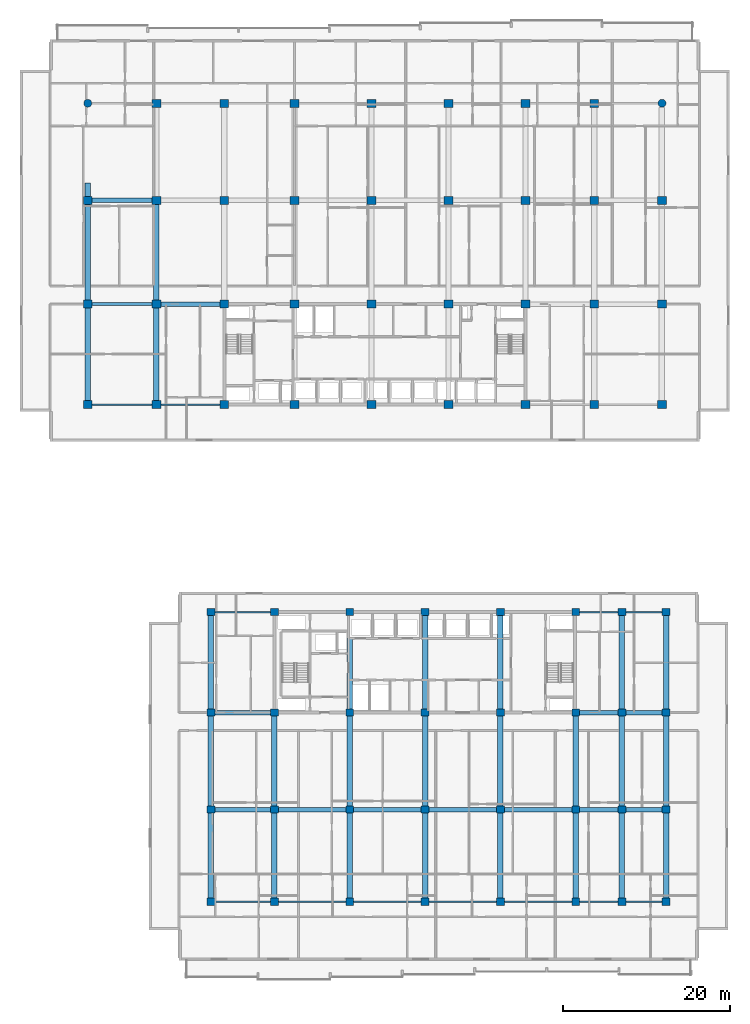
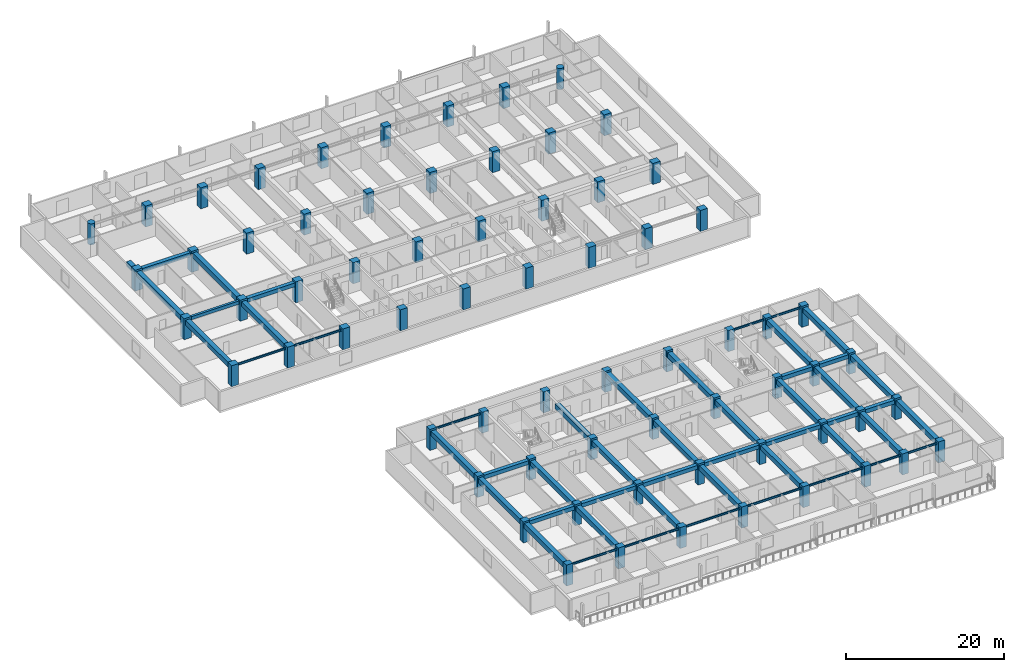
# One storey, part 1 of 23: 68 columns, 52 beams.
"""IFC4 building model written with IfcOpenShell, lengths in metres."""

import ifcopenshell
import ifcopenshell.guid

model = None  # the IFC model being written
_history = None  # IfcOwnerHistory: only IFC2X3 demands one
_inside = {}  # id of a spatial element -> (the spatial element, [elements in it])
_under = {}  # id of a project, library or spatial element -> (it, [spatial elements below it])
_declared = {}  # id of a project -> (the project, [libraries it declares])
_typed = {}  # id of a type object -> (the type object, [elements of that type])
_made_of = {}  # id of a material, layer set ... -> (it, [elements and type objects made of it])


def new_model(schema):
    """Start an empty IFC model of exactly this schema.

    Asked for "IFC4X3", IfcOpenShell would pick the latest addendum, in which some entities
    have other attributes; the version numbers below select the first issue.
    IFC2X3 requires an IfcOwnerHistory on every rooted entity: one is made here for all.
    """
    global model, _history
    if schema == "IFC4X3":
        model = ifcopenshell.file(schema_version=(4, 3, 0, 0))
    else:
        model = ifcopenshell.file(schema=schema)
    _inside.clear()
    _under.clear()
    _declared.clear()
    _typed.clear()
    _made_of.clear()
    _history = None
    if model.schema == "IFC2X3":
        org = make("IfcOrganization", Name="unknown")
        user = make(
            "IfcPersonAndOrganization",
            ThePerson=make("IfcPerson", FamilyName="unknown"),
            TheOrganization=org,
        )
        app = make(
            "IfcApplication",
            ApplicationDeveloper=org,
            Version="unknown",
            ApplicationFullName="unknown",
            ApplicationIdentifier="unknown",
        )
        _history = make(
            "IfcOwnerHistory",
            OwningUser=user,
            OwningApplication=app,
            ChangeAction="ADDED",
            CreationDate=0,
        )
    return model


def make(cls, **values):
    """One entity of the class cls with the attributes given. An attribute that is None is left unset."""
    return model.create_entity(
        cls, **{name: value for name, value in values.items() if value is not None}
    )


def rooted(cls, **values):
    """An entity with a GlobalId (a new one), such as an element, a storey or a relation."""
    return make(cls, GlobalId=ifcopenshell.guid.new(), OwnerHistory=_history, **values)


def si_unit(unit_type, name, prefix=None):
    """IfcSIUnit, for example si_unit("LENGTHUNIT", "METRE", prefix="MILLI")."""
    return make("IfcSIUnit", UnitType=unit_type, Prefix=prefix, Name=name)


def assignment(units):
    """IfcUnitAssignment: the units of a project."""
    return None if units is None else make("IfcUnitAssignment", Units=units)


def point(xyz):
    """IfcCartesianPoint."""
    return None if xyz is None else make("IfcCartesianPoint", Coordinates=xyz)


def direction(xyz):
    """IfcDirection."""
    return None if xyz is None else make("IfcDirection", DirectionRatios=xyz)


def frame(location, z_axis=None, x_axis=None):
    """IfcAxis2Placement3D, a coordinate frame: its origin and axes. An axis left out is left unset."""
    return make(
        "IfcAxis2Placement3D",
        Location=point(location),
        Axis=direction(z_axis),
        RefDirection=direction(x_axis),
    )


def frame_2d(location, x_axis=None):
    """IfcAxis2Placement2D, a coordinate frame in the plane: its origin and x axis."""
    return make(
        "IfcAxis2Placement2D", Location=point(location), RefDirection=direction(x_axis)
    )


def origin():
    """The frame at (0, 0, 0) with its axes left unset."""
    return frame((0.0, 0.0, 0.0))


def origin_2d():
    """The frame at (0, 0) in the plane with its x axis left unset."""
    return frame_2d((0.0, 0.0))


def place(relative_to, where):
    """IfcLocalPlacement: puts the frame where relative to a parent placement (None: the world)."""
    return make(
        "IfcLocalPlacement", PlacementRelTo=relative_to, RelativePlacement=where
    )


def context(
    kind, dimensions, precision=None, world=None, true_north=None, identifier=None
):
    """IfcGeometricRepresentationContext, for example the 3D "Model" context."""
    return make(
        "IfcGeometricRepresentationContext",
        ContextIdentifier=identifier,
        ContextType=kind,
        CoordinateSpaceDimension=dimensions,
        Precision=precision,
        WorldCoordinateSystem=world,
        TrueNorth=true_north,
    )


def subcontext(parent, identifier, kind, view, scale=None):
    """IfcGeometricRepresentationSubContext, for example "Body" below "Model"."""
    return make(
        "IfcGeometricRepresentationSubContext",
        ContextIdentifier=identifier,
        ContextType=kind,
        ParentContext=parent,
        TargetScale=scale,
        TargetView=view,
    )


def project(units=None, contexts=None):
    """IfcProject with its units and contexts."""
    return rooted(
        "IfcProject",
        Name="project",
        RepresentationContexts=contexts,
        UnitsInContext=assignment(units),
    )


def spatial(cls, under=None, at=None, **own):
    """A site, building, storey or space (cls), placed at a placement, below another one or the project."""
    s = rooted(cls, ObjectPlacement=at, **own)
    if under is not None:
        _under.setdefault(under.id(), (under, []))[1].append(s)
    return s


def profile(cls, at=None, kind="AREA", **sizes):
    """A parametric profile (cls). Its sizes go by their IFC names, for example OverallWidth=200.0."""
    return make(cls, ProfileType=kind, Position=at, **sizes)


def rectangle(**sizes):
    """IfcRectangleProfileDef."""
    return profile("IfcRectangleProfileDef", **sizes)


def circle(**sizes):
    """IfcCircleProfileDef."""
    return profile("IfcCircleProfileDef", **sizes)


def i_section(**sizes):
    """IfcIShapeProfileDef."""
    return profile("IfcIShapeProfileDef", **sizes)


def extrude(swept, where, along, depth):
    """IfcExtrudedAreaSolid: the profile swept, set in the frame where, extruded along a direction by depth."""
    return make(
        "IfcExtrudedAreaSolid",
        SweptArea=swept,
        Position=where,
        ExtrudedDirection=direction(along),
        Depth=depth,
    )


def shape(context_of_items, identifier, shape_type, items):
    """IfcShapeRepresentation: the items that make up one representation, for example the "Body"."""
    return make(
        "IfcShapeRepresentation",
        ContextOfItems=context_of_items,
        RepresentationIdentifier=identifier,
        RepresentationType=shape_type,
        Items=items,
    )


def material(Name=None, Category=None):
    """IfcMaterial."""
    return make("IfcMaterial", Name=Name, Category=Category)


def material_profile(
    of_material, cross_section, Name=None, Category=None, Priority=None
):
    """IfcMaterialProfile: a cross section and its material."""
    return make(
        "IfcMaterialProfile",
        Name=Name,
        Material=of_material,
        Profile=cross_section,
        Priority=Priority,
        Category=Category,
    )


def profile_set(profiles, Name=None, composite=None):
    """IfcMaterialProfileSet."""
    return make(
        "IfcMaterialProfileSet",
        Name=Name,
        MaterialProfiles=profiles,
        CompositeProfile=composite,
    )


def made_of(thing, what):
    """Note that an element or type object is made of a material, layer set ...; save() writes the relation."""
    if what is not None:
        _made_of.setdefault(what.id(), (what, []))[1].append(thing)
    return thing


def type_object(cls, material=None, **own):
    """A type object (cls), such as IfcWallType, which elements share."""
    return made_of(rooted(cls, **own), material)


def element(
    cls,
    number,
    at=None,
    inside=None,
    cuts=None,
    type_object=None,
    material=None,
    context=None,
    identifier="Body",
    shape_type=None,
    held_by="IfcProductDefinitionShape",
    body=None,
    shapes=None,
    **own,
):
    """One element of the class cls, such as IfcWall. Its Tag is "e" and its number.

    at: its placement. inside: the storey or other place that contains it. cuts: it is an
    opening in that element (IfcRelVoidsElement). A single representation is given by context,
    identifier, shape_type and body (its items); several are given by shapes. held_by: the class
    of the entity that holds the representations. save() writes the other relations.
    """
    e = rooted(cls, Tag="e%d" % number, ObjectPlacement=at, **own)
    if body is not None:
        shapes = [shape(context, identifier, shape_type, body)]
    if shapes is not None:
        e.Representation = make(held_by, Representations=shapes)
    if inside is not None:
        _inside.setdefault(inside.id(), (inside, []))[1].append(e)
    if cuts is not None:
        rooted(
            "IfcRelVoidsElement", RelatingBuildingElement=cuts, RelatedOpeningElement=e
        )
    if type_object is not None:
        _typed.setdefault(type_object.id(), (type_object, []))[1].append(e)
    return made_of(e, material)


def aggregate(whole, parts):
    """IfcRelAggregates: a whole, such as a stair, and the parts it consists of."""
    return rooted("IfcRelAggregates", RelatingObject=whole, RelatedObjects=parts)


def save(model, path):
    """Write the relations noted so far, then the file.

    IfcRelAggregates (storeys below a building ...), IfcRelContainedInSpatialStructure (elements
    in a storey), IfcRelDefinesByType, IfcRelAssociatesMaterial and IfcRelDeclares: one each for
    every whole, place, type object, material and project.
    """
    for whole, parts in _under.values():
        aggregate(whole, parts)
    for where, things in _inside.values():
        rooted(
            "IfcRelContainedInSpatialStructure",
            RelatedElements=things,
            RelatingStructure=where,
        )
    for kind, things in _typed.values():
        rooted("IfcRelDefinesByType", RelatedObjects=things, RelatingType=kind)
    for what, things in _made_of.values():
        rooted("IfcRelAssociatesMaterial", RelatedObjects=things, RelatingMaterial=what)
    for by, libraries in _declared.values():
        rooted("IfcRelDeclares", RelatingContext=by, RelatedDefinitions=libraries)
    model.write(path)


model = new_model("IFC4")

# Units and contexts
model_context = context("Model", 3, precision=1e-05, world=origin(), true_north=direction((0.0, 1.0)))
body_context = subcontext(model_context, "Body", "Model", "MODEL_VIEW")
ifc_project = project(units=[si_unit("LENGTHUNIT", "METRE"), si_unit("AREAUNIT", "SQUARE_METRE"), si_unit("VOLUMEUNIT", "CUBIC_METRE"), si_unit("PLANEANGLEUNIT", "RADIAN"), si_unit("MASSUNIT", "GRAM", prefix="KILO")], contexts=[model_context])

# Site, building, storey
site_placement = place(None, origin())
site = spatial("IfcSite", under=ifc_project, at=site_placement, CompositionType="ELEMENT")
building_placement = place(site_placement, origin())
building = spatial("IfcBuilding", under=site, at=building_placement, Name="Korimba Cascade Residences", CompositionType="ELEMENT")
storey_placement = place(building_placement, frame((0.0, 0.0, 37.0)))
storey = spatial("IfcBuildingStorey", under=building, at=storey_placement, Name="L09", CompositionType="ELEMENT", Elevation=37.0)

# Columns
ifc_material_1 = material(Name="Concrete C80/95", Category="concrete")
ifc_material_profile_1 = material_profile(ifc_material_1, rectangle(XDim=1.050048828125, YDim=0.949951171875, at=origin_2d()), Name="Concrete C80/95")
ifc_profile_set_1 = profile_set([ifc_material_profile_1], Name="Concrete C80/95")
column_type_1 = type_object("IfcColumnType", Name="COL-RC-1050", PredefinedType="COLUMN", material=ifc_profile_set_1)
for number, where, z_axis, x_axis, name in (
    (1, (59.800048828125, 55.199951171875, 0.0), (0.0, 0.0, 1.0), (1.0, 0.0, 0.0), "L09 Tower 1 Column 1.1"),
    (2, (59.800048828125, 67.199951171875, 0.0), (0.0, 0.0, 1.0), (1.0, 0.0, 0.0), "L09 Tower 1 Column 1.2"),
    (3, (59.800048828125, 79.60009765625, 0.0), (0.0, 0.0, 1.0), (1.0, 0.0, 0.0), "L09 Tower 1 Column 1.3"),
    (4, (68.0, 55.199951171875, 0.0), (0.0, 0.0, 1.0), (1.0, 0.0, 0.0), "L09 Tower 1 Column 2.1"),
    (5, (68.0, 67.199951171875, 0.0), (0.0, 0.0, 1.0), (1.0, 0.0, 0.0), "L09 Tower 1 Column 2.2"),
    (6, (68.0, 79.60009765625, 0.0), (0.0, 0.0, 1.0), (1.0, 0.0, 0.0), "L09 Tower 1 Column 2.3"),
    (7, (68.0, 91.199951171875, 0.0), (0.0, 0.0, 1.0), (1.0, 0.0, 0.0), "L09 Tower 1 Column 2.4"),
    (8, (76.10009765625, 55.199951171875, 0.0), (0.0, 0.0, 1.0), (1.0, 0.0, 0.0), "L09 Tower 1 Column 3.1"),
    (9, (76.10009765625, 67.199951171875, 0.0), (0.0, 0.0, 1.0), (1.0, 0.0, 0.0), "L09 Tower 1 Column 3.2"),
    (10, (76.10009765625, 79.60009765625, 0.0), (0.0, 0.0, 1.0), (1.0, 0.0, 0.0), "L09 Tower 1 Column 3.3"),
    (11, (76.10009765625, 91.199951171875, 0.0), (0.0, 0.0, 1.0), (1.0, 0.0, 0.0), "L09 Tower 1 Column 3.4"),
    (12, (84.5, 55.199951171875, 0.0), (0.0, 0.0, 1.0), (1.0, 0.0, 0.0), "L09 Tower 1 Column 4.1"),
    (13, (84.5, 67.199951171875, 0.0), (0.0, 0.0, 1.0), (1.0, 0.0, 0.0), "L09 Tower 1 Column 4.2"),
    (14, (84.5, 79.60009765625, 0.0), (0.0, 0.0, 1.0), (1.0, 0.0, 0.0), "L09 Tower 1 Column 4.3"),
    (15, (84.5, 91.199951171875, 0.0), (0.0, 0.0, 1.0), (1.0, 0.0, 0.0), "L09 Tower 1 Column 4.4"),
    (16, (93.699951171875, 55.199951171875, 0.0), (0.0, 0.0, 1.0), (1.0, 0.0, 0.0), "L09 Tower 1 Column 5.1"),
    (17, (93.699951171875, 67.199951171875, 0.0), (0.0, 0.0, 1.0), (1.0, 0.0, 0.0), "L09 Tower 1 Column 5.2"),
    (18, (93.699951171875, 79.60009765625, 0.0), (0.0, 0.0, 1.0), (1.0, 0.0, 0.0), "L09 Tower 1 Column 5.3"),
    (19, (93.699951171875, 91.199951171875, 0.0), (0.0, 0.0, 1.0), (1.0, 0.0, 0.0), "L09 Tower 1 Column 5.4"),
    (20, (102.89990234375, 55.199951171875, 0.0), (0.0, 0.0, 1.0), (1.0, 0.0, 0.0), "L09 Tower 1 Column 6.1"),
    (21, (102.89990234375, 67.199951171875, 0.0), (0.0, 0.0, 1.0), (1.0, 0.0, 0.0), "L09 Tower 1 Column 6.2"),
    (22, (102.89990234375, 79.60009765625, 0.0), (0.0, 0.0, 1.0), (1.0, 0.0, 0.0), "L09 Tower 1 Column 6.3"),
    (23, (102.89990234375, 91.199951171875, 0.0), (0.0, 0.0, 1.0), (1.0, 0.0, 0.0), "L09 Tower 1 Column 6.4"),
    (24, (112.10009765625, 55.199951171875, 0.0), (0.0, 0.0, 1.0), (1.0, 0.0, 0.0), "L09 Tower 1 Column 7.1"),
    (25, (112.10009765625, 67.199951171875, 0.0), (0.0, 0.0, 1.0), (1.0, 0.0, 0.0), "L09 Tower 1 Column 7.2"),
    (26, (112.10009765625, 79.60009765625, 0.0), (0.0, 0.0, 1.0), (1.0, 0.0, 0.0), "L09 Tower 1 Column 7.3"),
    (27, (112.10009765625, 91.199951171875, 0.0), (0.0, 0.0, 1.0), (1.0, 0.0, 0.0), "L09 Tower 1 Column 7.4"),
    (28, (120.300048828125, 55.199951171875, 0.0), (0.0, 0.0, 1.0), (1.0, 0.0, 0.0), "L09 Tower 1 Column 8.1"),
    (29, (120.300048828125, 67.199951171875, 0.0), (0.0, 0.0, 1.0), (1.0, 0.0, 0.0), "L09 Tower 1 Column 8.2"),
    (30, (120.300048828125, 79.60009765625, 0.0), (0.0, 0.0, 1.0), (1.0, 0.0, 0.0), "L09 Tower 1 Column 8.3"),
    (31, (120.300048828125, 91.199951171875, 0.0), (0.0, 0.0, 1.0), (1.0, 0.0, 0.0), "L09 Tower 1 Column 8.4"),
    (32, (128.39990234375, 55.199951171875, 0.0), (0.0, 0.0, 1.0), (1.0, 0.0, 0.0), "L09 Tower 1 Column 9.1"),
    (33, (128.39990234375, 67.199951171875, 0.0), (0.0, 0.0, 1.0), (1.0, 0.0, 0.0), "L09 Tower 1 Column 9.2"),
    (34, (128.39990234375, 79.60009765625, 0.0), (0.0, 0.0, 1.0), (1.0, 0.0, 0.0), "L09 Tower 1 Column 9.3"),
):
    element("IfcColumn", number, at=place(storey_placement, frame(where, z_axis=z_axis, x_axis=x_axis)), inside=storey, type_object=column_type_1, Name=name, PredefinedType="COLUMN", context=body_context, shape_type="SweptSolid", body=[
        extrude(rectangle(XDim=1.050048828125, YDim=0.949951171875, at=origin_2d()), origin(), (0.0, 0.0, 1.0), 3.25),
    ])
ifc_material_2 = material(Name="Concrete C65/80", Category="concrete")
ifc_material_profile_2 = material_profile(ifc_material_2, rectangle(XDim=0.949951171875, YDim=0.85009765625, at=origin_2d()), Name="Concrete C65/80")
ifc_profile_set_2 = profile_set([ifc_material_profile_2], Name="Concrete C65/80")
column_type_2 = type_object("IfcColumnType", Name="COL-RC-950", PredefinedType="COLUMN", material=ifc_profile_set_2)
for number, where, z_axis, x_axis, name in (
    (35, (74.5, -4.199951171875, 0.0), (0.0, 0.0, 1.0), (1.0, 0.0, 0.0), "L09 Tower 2 Column 1.1"),
    (36, (74.5, 6.800048828125, 0.0), (0.0, 0.0, 1.0), (1.0, 0.0, 0.0), "L09 Tower 2 Column 1.2"),
    (37, (74.5, 18.39990234375, 0.0), (0.0, 0.0, 1.0), (1.0, 0.0, 0.0), "L09 Tower 2 Column 1.3"),
    (38, (74.5, 30.39990234375, 0.0), (0.0, 0.0, 1.0), (1.0, 0.0, 0.0), "L09 Tower 2 Column 1.4"),
    (39, (82.10009765625, -4.199951171875, 0.0), (0.0, 0.0, 1.0), (1.0, 0.0, 0.0), "L09 Tower 2 Column 2.1"),
    (40, (82.10009765625, 6.800048828125, 0.0), (0.0, 0.0, 1.0), (1.0, 0.0, 0.0), "L09 Tower 2 Column 2.2"),
    (41, (82.10009765625, 18.39990234375, 0.0), (0.0, 0.0, 1.0), (1.0, 0.0, 0.0), "L09 Tower 2 Column 2.3"),
    (42, (82.10009765625, 30.39990234375, 0.0), (0.0, 0.0, 1.0), (1.0, 0.0, 0.0), "L09 Tower 2 Column 2.4"),
    (43, (91.10009765625, -4.199951171875, 0.0), (0.0, 0.0, 1.0), (1.0, 0.0, 0.0), "L09 Tower 2 Column 3.1"),
    (44, (91.10009765625, 6.800048828125, 0.0), (0.0, 0.0, 1.0), (1.0, 0.0, 0.0), "L09 Tower 2 Column 3.2"),
    (45, (91.10009765625, 18.39990234375, 0.0), (0.0, 0.0, 1.0), (1.0, 0.0, 0.0), "L09 Tower 2 Column 3.3"),
    (46, (91.10009765625, 30.39990234375, 0.0), (0.0, 0.0, 1.0), (1.0, 0.0, 0.0), "L09 Tower 2 Column 3.4"),
    (47, (100.10009765625, -4.199951171875, 0.0), (0.0, 0.0, 1.0), (1.0, 0.0, 0.0), "L09 Tower 2 Column 4.1"),
    (48, (100.10009765625, 6.800048828125, 0.0), (0.0, 0.0, 1.0), (1.0, 0.0, 0.0), "L09 Tower 2 Column 4.2"),
    (49, (100.10009765625, 18.39990234375, 0.0), (0.0, 0.0, 1.0), (1.0, 0.0, 0.0), "L09 Tower 2 Column 4.3"),
    (50, (100.10009765625, 30.39990234375, 0.0), (0.0, 0.0, 1.0), (1.0, 0.0, 0.0), "L09 Tower 2 Column 4.4"),
    (51, (109.10009765625, -4.199951171875, 0.0), (0.0, 0.0, 1.0), (1.0, 0.0, 0.0), "L09 Tower 2 Column 5.1"),
    (52, (109.10009765625, 6.800048828125, 0.0), (0.0, 0.0, 1.0), (1.0, 0.0, 0.0), "L09 Tower 2 Column 5.2"),
    (53, (109.10009765625, 18.39990234375, 0.0), (0.0, 0.0, 1.0), (1.0, 0.0, 0.0), "L09 Tower 2 Column 5.3"),
    (54, (109.10009765625, 30.39990234375, 0.0), (0.0, 0.0, 1.0), (1.0, 0.0, 0.0), "L09 Tower 2 Column 5.4"),
    (55, (118.10009765625, -4.199951171875, 0.0), (0.0, 0.0, 1.0), (1.0, 0.0, 0.0), "L09 Tower 2 Column 6.1"),
    (56, (118.10009765625, 6.800048828125, 0.0), (0.0, 0.0, 1.0), (1.0, 0.0, 0.0), "L09 Tower 2 Column 6.2"),
    (57, (118.10009765625, 18.39990234375, 0.0), (0.0, 0.0, 1.0), (1.0, 0.0, 0.0), "L09 Tower 2 Column 6.3"),
    (58, (118.10009765625, 30.39990234375, 0.0), (0.0, 0.0, 1.0), (1.0, 0.0, 0.0), "L09 Tower 2 Column 6.4"),
    (59, (123.60009765625, -4.199951171875, 0.0), (0.0, 0.0, 1.0), (1.0, 0.0, 0.0), "L09 Tower 2 Column 7.1"),
    (60, (123.60009765625, 6.800048828125, 0.0), (0.0, 0.0, 1.0), (1.0, 0.0, 0.0), "L09 Tower 2 Column 7.2"),
    (61, (123.60009765625, 18.39990234375, 0.0), (0.0, 0.0, 1.0), (1.0, 0.0, 0.0), "L09 Tower 2 Column 7.3"),
    (62, (123.60009765625, 30.39990234375, 0.0), (0.0, 0.0, 1.0), (1.0, 0.0, 0.0), "L09 Tower 2 Column 7.4"),
    (63, (128.89990234375, -4.199951171875, 0.0), (0.0, 0.0, 1.0), (1.0, 0.0, 0.0), "L09 Tower 2 Column 8.1"),
    (64, (128.89990234375, 6.800048828125, 0.0), (0.0, 0.0, 1.0), (1.0, 0.0, 0.0), "L09 Tower 2 Column 8.2"),
    (65, (128.89990234375, 18.39990234375, 0.0), (0.0, 0.0, 1.0), (1.0, 0.0, 0.0), "L09 Tower 2 Column 8.3"),
    (66, (128.89990234375, 30.39990234375, 0.0), (0.0, 0.0, 1.0), (1.0, 0.0, 0.0), "L09 Tower 2 Column 8.4"),
):
    element("IfcColumn", number, at=place(storey_placement, frame(where, z_axis=z_axis, x_axis=x_axis)), inside=storey, type_object=column_type_2, Name=name, PredefinedType="COLUMN", context=body_context, shape_type="SweptSolid", body=[
        extrude(rectangle(XDim=0.949951171875, YDim=0.85009765625, at=origin_2d()), origin(), (0.0, 0.0, 1.0), 3.25),
    ])
ifc_material_profile_3 = material_profile(ifc_material_1, circle(Radius=0.47509765625, at=origin_2d()), Name="Concrete C80/95")
ifc_profile_set_3 = profile_set([ifc_material_profile_3], Name="Concrete C80/95")
column_type_3 = type_object("IfcColumnType", Name="COL-RC-D950", PredefinedType="COLUMN", material=ifc_profile_set_3)
for number, where, z_axis, x_axis, name in (
    (67, (59.800048828125, 91.199951171875, 0.0), (0.0, 0.0, 1.0), (1.0, 0.0, 0.0), "L09 Tower 1 Column 1.4"),
    (68, (128.39990234375, 91.199951171875, 0.0), (0.0, 0.0, 1.0), (1.0, 0.0, 0.0), "L09 Tower 1 Column 9.4"),
):
    element("IfcColumn", number, at=place(storey_placement, frame(where, z_axis=z_axis, x_axis=x_axis)), inside=storey, type_object=column_type_3, Name=name, PredefinedType="COLUMN", context=body_context, shape_type="SweptSolid", body=[
        extrude(circle(Radius=0.47509765625, at=origin_2d()), origin(), (0.0, 0.0, 1.0), 3.25),
    ])

# Beams
ifc_material_3 = material(Name="Concrete C50/60", Category="concrete")
ifc_material_profile_4 = material_profile(ifc_material_3, rectangle(XDim=0.550048828125, YDim=0.60009765625, at=origin_2d()), Name="Concrete C50/60")
ifc_profile_set_4 = profile_set([ifc_material_profile_4], Name="Concrete C50/60")
beam_type_1 = type_object("IfcBeamType", Name="BM-RC-B600", PredefinedType="BEAM", material=ifc_profile_set_4)
beam_1_placement = place(storey_placement, frame((68.52490234375, 67.199951171875, 2.669921875), z_axis=(1.0, 0.0, 0.0), x_axis=(0.0, 1.0, 0.0)))
element("IfcBeam", 69, at=beam_1_placement, inside=storey, type_object=beam_type_1, Name="L09 T1 E-W Girder Y2 Bay 2", PredefinedType="BEAM", context=body_context, shape_type="SweptSolid", body=[
    extrude(rectangle(XDim=0.550048828125, YDim=0.60009765625, at=origin_2d()), origin(), (0.0, 0.0, 1.0), 7.050048828125),
])
beam_2_placement = place(storey_placement, frame((60.324951171875, 79.60009765625, 2.669921875), z_axis=(1.0, 0.0, 0.0), x_axis=(0.0, 1.0, 0.0)))
element("IfcBeam", 70, at=beam_2_placement, inside=storey, type_object=beam_type_1, Name="L09 T1 E-W Girder Y3 Bay 1", PredefinedType="BEAM", context=body_context, shape_type="SweptSolid", body=[
    extrude(rectangle(XDim=0.550048828125, YDim=0.60009765625, at=origin_2d()), origin(), (0.0, 0.0, 1.0), 7.150146484375),
])
beam_3_placement = place(storey_placement, frame((74.97509765625, 6.800048828125, 2.669921875), z_axis=(1.0, 0.0, 0.0), x_axis=(0.0, 1.0, 0.0)))
element("IfcBeam", 71, at=beam_3_placement, inside=storey, type_object=beam_type_1, Name="L09 T2 E-W Girder Y2 Bay 1", PredefinedType="BEAM", context=body_context, shape_type="SweptSolid", body=[
    extrude(rectangle(XDim=0.550048828125, YDim=0.60009765625, at=origin_2d()), origin(), (0.0, 0.0, 1.0), 6.64990234375),
])
for number, where, z_axis, x_axis, name in (
    (72, (82.574951171875, 6.800048828125, 2.669921875), (1.0, 0.0, 0.0), (0.0, 1.0, 0.0), "L09 T2 E-W Girder Y2 Bay 2"),
    (73, (91.574951171875, 6.800048828125, 2.669921875), (1.0, 0.0, 0.0), (0.0, 1.0, 0.0), "L09 T2 E-W Girder Y2 Bay 3"),
    (74, (100.574951171875, 6.800048828125, 2.669921875), (1.0, 0.0, 0.0), (0.0, 1.0, 0.0), "L09 T2 E-W Girder Y2 Bay 4"),
    (75, (109.574951171875, 6.800048828125, 2.669921875), (1.0, 0.0, 0.0), (0.0, 1.0, 0.0), "L09 T2 E-W Girder Y2 Bay 5"),
):
    element("IfcBeam", number, at=place(storey_placement, frame(where, z_axis=z_axis, x_axis=x_axis)), inside=storey, type_object=beam_type_1, Name=name, PredefinedType="BEAM", context=body_context, shape_type="SweptSolid", body=[
        extrude(rectangle(XDim=0.550048828125, YDim=0.60009765625, at=origin_2d()), origin(), (0.0, 0.0, 1.0), 8.050048828125),
    ])
beam_4_placement = place(storey_placement, frame((118.574951171875, 6.800048828125, 2.669921875), z_axis=(1.0, 0.0, 0.0), x_axis=(0.0, 1.0, 0.0)))
element("IfcBeam", 76, at=beam_4_placement, inside=storey, type_object=beam_type_1, Name="L09 T2 E-W Girder Y2 Bay 6", PredefinedType="BEAM", context=body_context, shape_type="SweptSolid", body=[
    extrude(rectangle(XDim=0.550048828125, YDim=0.60009765625, at=origin_2d()), origin(), (0.0, 0.0, 1.0), 4.550048828125),
])
beam_5_placement = place(storey_placement, frame((124.074951171875, 6.800048828125, 2.669921875), z_axis=(1.0, 0.0, 0.0), x_axis=(0.0, 1.0, 0.0)))
element("IfcBeam", 77, at=beam_5_placement, inside=storey, type_object=beam_type_1, Name="L09 T2 E-W Girder Y2 Bay 7", PredefinedType="BEAM", context=body_context, shape_type="SweptSolid", body=[
    extrude(rectangle(XDim=0.550048828125, YDim=0.60009765625, at=origin_2d()), origin(), (0.0, 0.0, 1.0), 4.35009765625),
])
beam_6_placement = place(storey_placement, frame((74.97509765625, 18.39990234375, 2.669921875), z_axis=(1.0, 0.0, 0.0), x_axis=(0.0, 1.0, 0.0)))
element("IfcBeam", 78, at=beam_6_placement, inside=storey, type_object=beam_type_1, Name="L09 T2 E-W Girder Y3 Bay 1", PredefinedType="BEAM", context=body_context, shape_type="SweptSolid", body=[
    extrude(rectangle(XDim=0.550048828125, YDim=0.60009765625, at=origin_2d()), origin(), (0.0, 0.0, 1.0), 6.64990234375),
])
beam_7_placement = place(storey_placement, frame((118.574951171875, 18.39990234375, 2.669921875), z_axis=(1.0, 0.0, 0.0), x_axis=(0.0, 1.0, 0.0)))
element("IfcBeam", 79, at=beam_7_placement, inside=storey, type_object=beam_type_1, Name="L09 T2 E-W Girder Y3 Bay 6", PredefinedType="BEAM", context=body_context, shape_type="SweptSolid", body=[
    extrude(rectangle(XDim=0.550048828125, YDim=0.60009765625, at=origin_2d()), origin(), (0.0, 0.0, 1.0), 4.550048828125),
])
beam_8_placement = place(storey_placement, frame((124.074951171875, 18.39990234375, 2.669921875), z_axis=(1.0, 0.0, 0.0), x_axis=(0.0, 1.0, 0.0)))
element("IfcBeam", 80, at=beam_8_placement, inside=storey, type_object=beam_type_1, Name="L09 T2 E-W Girder Y3 Bay 7", PredefinedType="BEAM", context=body_context, shape_type="SweptSolid", body=[
    extrude(rectangle(XDim=0.550048828125, YDim=0.60009765625, at=origin_2d()), origin(), (0.0, 0.0, 1.0), 4.35009765625),
])
ifc_material_profile_5 = material_profile(ifc_material_3, rectangle(XDim=0.64990234375, YDim=0.75, at=origin_2d()), Name="Concrete C50/60")
ifc_profile_set_5 = profile_set([ifc_material_profile_5], Name="Concrete C50/60")
beam_type_2 = type_object("IfcBeamType", Name="BM-RC-G750", PredefinedType="BEAM", material=ifc_profile_set_5)
beam_9_placement = place(storey_placement, frame((59.800048828125, 55.675048828125, 2.594970703125), z_axis=(0.0, 1.0, 0.0), x_axis=(-1.0, 0.0, 0.0)))
element("IfcBeam", 81, at=beam_9_placement, inside=storey, type_object=beam_type_2, Name="L09 T1 N-S Girder X1 Seg 1", PredefinedType="BEAM", context=body_context, shape_type="SweptSolid", body=[
    extrude(rectangle(XDim=0.64990234375, YDim=0.75, at=origin_2d()), origin(), (0.0, 0.0, 1.0), 11.050048828125),
])
beam_10_placement = place(storey_placement, frame((59.800048828125, 67.675048828125, 2.594970703125), z_axis=(0.0, 1.0, 0.0), x_axis=(-1.0, 0.0, 0.0)))
element("IfcBeam", 82, at=beam_10_placement, inside=storey, type_object=beam_type_2, Name="L09 T1 N-S Girder X1 Seg 2", PredefinedType="BEAM", context=body_context, shape_type="SweptSolid", body=[
    extrude(rectangle(XDim=0.64990234375, YDim=0.75, at=origin_2d()), origin(), (0.0, 0.0, 1.0), 11.449951171875),
])
beam_11_placement = place(storey_placement, frame((59.800048828125, 80.074951171875, 2.594970703125), z_axis=(0.0, 1.0, 0.0), x_axis=(-1.0, 0.0, 0.0)))
element("IfcBeam", 83, at=beam_11_placement, inside=storey, type_object=beam_type_2, Name="L09 T1 N-S Girder X1 Seg 3", PredefinedType="BEAM", context=body_context, shape_type="SweptSolid", body=[
    extrude(rectangle(XDim=0.64990234375, YDim=0.75, at=origin_2d()), origin(), (0.0, 0.0, 1.0), 1.625),
])
beam_12_placement = place(storey_placement, frame((68.0, 55.675048828125, 2.594970703125), z_axis=(0.0, 1.0, 0.0), x_axis=(-1.0, 0.0, 0.0)))
element("IfcBeam", 84, at=beam_12_placement, inside=storey, type_object=beam_type_2, Name="L09 T1 N-S Girder X2 Seg 1", PredefinedType="BEAM", context=body_context, shape_type="SweptSolid", body=[
    extrude(rectangle(XDim=0.64990234375, YDim=0.75, at=origin_2d()), origin(), (0.0, 0.0, 1.0), 11.050048828125),
])
beam_13_placement = place(storey_placement, frame((68.0, 67.675048828125, 2.594970703125), z_axis=(0.0, 1.0, 0.0), x_axis=(-1.0, 0.0, 0.0)))
element("IfcBeam", 85, at=beam_13_placement, inside=storey, type_object=beam_type_2, Name="L09 T1 N-S Girder X2 Seg 2", PredefinedType="BEAM", context=body_context, shape_type="SweptSolid", body=[
    extrude(rectangle(XDim=0.64990234375, YDim=0.75, at=origin_2d()), origin(), (0.0, 0.0, 1.0), 11.449951171875),
])
beam_14_placement = place(storey_placement, frame((74.5, -3.77490234375, 2.594970703125), z_axis=(0.0, 1.0, 0.0), x_axis=(-1.0, 0.0, 0.0)))
element("IfcBeam", 86, at=beam_14_placement, inside=storey, type_object=beam_type_2, Name="L09 T2 N-S Girder X1 Seg 1", PredefinedType="BEAM", context=body_context, shape_type="SweptSolid", body=[
    extrude(rectangle(XDim=0.64990234375, YDim=0.75, at=origin_2d()), origin(), (0.0, 0.0, 1.0), 10.14990234375),
])
beam_15_placement = place(storey_placement, frame((74.5, 7.22509765625, 2.594970703125), z_axis=(0.0, 1.0, 0.0), x_axis=(-1.0, 0.0, 0.0)))
element("IfcBeam", 87, at=beam_15_placement, inside=storey, type_object=beam_type_2, Name="L09 T2 N-S Girder X1 Seg 2", PredefinedType="BEAM", context=body_context, shape_type="SweptSolid", body=[
    extrude(rectangle(XDim=0.64990234375, YDim=0.75, at=origin_2d()), origin(), (0.0, 0.0, 1.0), 10.75),
])
beam_16_placement = place(storey_placement, frame((74.5, 18.824951171875, 2.594970703125), z_axis=(0.0, 1.0, 0.0), x_axis=(-1.0, 0.0, 0.0)))
element("IfcBeam", 88, at=beam_16_placement, inside=storey, type_object=beam_type_2, Name="L09 T2 N-S Girder X1 Seg 3", PredefinedType="BEAM", context=body_context, shape_type="SweptSolid", body=[
    extrude(rectangle(XDim=0.64990234375, YDim=0.75, at=origin_2d()), origin(), (0.0, 0.0, 1.0), 11.150146484375),
])
beam_17_placement = place(storey_placement, frame((82.10009765625, -3.77490234375, 2.594970703125), z_axis=(0.0, 1.0, 0.0), x_axis=(-1.0, 0.0, 0.0)))
element("IfcBeam", 89, at=beam_17_placement, inside=storey, type_object=beam_type_2, Name="L09 T2 N-S Girder X2 Seg 1", PredefinedType="BEAM", context=body_context, shape_type="SweptSolid", body=[
    extrude(rectangle(XDim=0.64990234375, YDim=0.75, at=origin_2d()), origin(), (0.0, 0.0, 1.0), 10.14990234375),
])
beam_18_placement = place(storey_placement, frame((82.10009765625, 7.22509765625, 2.594970703125), z_axis=(0.0, 1.0, 0.0), x_axis=(-1.0, 0.0, 0.0)))
element("IfcBeam", 90, at=beam_18_placement, inside=storey, type_object=beam_type_2, Name="L09 T2 N-S Girder X2 Seg 2", PredefinedType="BEAM", context=body_context, shape_type="SweptSolid", body=[
    extrude(rectangle(XDim=0.64990234375, YDim=0.75, at=origin_2d()), origin(), (0.0, 0.0, 1.0), 10.75),
])
beam_19_placement = place(storey_placement, frame((91.10009765625, -3.77490234375, 2.594970703125), z_axis=(0.0, 1.0, 0.0), x_axis=(-1.0, 0.0, 0.0)))
element("IfcBeam", 91, at=beam_19_placement, inside=storey, type_object=beam_type_2, Name="L09 T2 N-S Girder X3 Seg 1", PredefinedType="BEAM", context=body_context, shape_type="SweptSolid", body=[
    extrude(rectangle(XDim=0.64990234375, YDim=0.75, at=origin_2d()), origin(), (0.0, 0.0, 1.0), 10.14990234375),
])
beam_20_placement = place(storey_placement, frame((91.10009765625, 7.22509765625, 2.594970703125), z_axis=(0.0, 1.0, 0.0), x_axis=(-1.0, 0.0, 0.0)))
element("IfcBeam", 92, at=beam_20_placement, inside=storey, type_object=beam_type_2, Name="L09 T2 N-S Girder X3 Seg 2", PredefinedType="BEAM", context=body_context, shape_type="SweptSolid", body=[
    extrude(rectangle(XDim=0.64990234375, YDim=0.75, at=origin_2d()), origin(), (0.0, 0.0, 1.0), 10.75),
])
beam_21_placement = place(storey_placement, frame((91.10009765625, 18.824951171875, 2.594970703125), z_axis=(0.0, 1.0, 0.0), x_axis=(-1.0, 0.0, 0.0)))
element("IfcBeam", 93, at=beam_21_placement, inside=storey, type_object=beam_type_2, Name="L09 T2 N-S Girder X3 Seg 3", PredefinedType="BEAM", context=body_context, shape_type="SweptSolid", body=[
    extrude(rectangle(XDim=0.64990234375, YDim=0.75, at=origin_2d()), origin(), (0.0, 0.0, 1.0), 8.51513671875),
])
beam_22_placement = place(storey_placement, frame((100.10009765625, -3.77490234375, 2.594970703125), z_axis=(0.0, 1.0, 0.0), x_axis=(-1.0, 0.0, 0.0)))
element("IfcBeam", 94, at=beam_22_placement, inside=storey, type_object=beam_type_2, Name="L09 T2 N-S Girder X4 Seg 1", PredefinedType="BEAM", context=body_context, shape_type="SweptSolid", body=[
    extrude(rectangle(XDim=0.64990234375, YDim=0.75, at=origin_2d()), origin(), (0.0, 0.0, 1.0), 10.14990234375),
])
beam_23_placement = place(storey_placement, frame((100.10009765625, 7.22509765625, 2.594970703125), z_axis=(0.0, 1.0, 0.0), x_axis=(-1.0, 0.0, 0.0)))
element("IfcBeam", 95, at=beam_23_placement, inside=storey, type_object=beam_type_2, Name="L09 T2 N-S Girder X4 Seg 2", PredefinedType="BEAM", context=body_context, shape_type="SweptSolid", body=[
    extrude(rectangle(XDim=0.64990234375, YDim=0.75, at=origin_2d()), origin(), (0.0, 0.0, 1.0), 10.75),
])
beam_24_placement = place(storey_placement, frame((100.10009765625, 18.824951171875, 2.594970703125), z_axis=(0.0, 1.0, 0.0), x_axis=(-1.0, 0.0, 0.0)))
element("IfcBeam", 96, at=beam_24_placement, inside=storey, type_object=beam_type_2, Name="L09 T2 N-S Girder X4 Seg 3", PredefinedType="BEAM", context=body_context, shape_type="SweptSolid", body=[
    extrude(rectangle(XDim=0.64990234375, YDim=0.75, at=origin_2d()), origin(), (0.0, 0.0, 1.0), 11.150146484375),
])
beam_25_placement = place(storey_placement, frame((109.10009765625, -3.77490234375, 2.594970703125), z_axis=(0.0, 1.0, 0.0), x_axis=(-1.0, 0.0, 0.0)))
element("IfcBeam", 97, at=beam_25_placement, inside=storey, type_object=beam_type_2, Name="L09 T2 N-S Girder X5 Seg 1", PredefinedType="BEAM", context=body_context, shape_type="SweptSolid", body=[
    extrude(rectangle(XDim=0.64990234375, YDim=0.75, at=origin_2d()), origin(), (0.0, 0.0, 1.0), 10.14990234375),
])
beam_26_placement = place(storey_placement, frame((109.10009765625, 7.22509765625, 2.594970703125), z_axis=(0.0, 1.0, 0.0), x_axis=(-1.0, 0.0, 0.0)))
element("IfcBeam", 98, at=beam_26_placement, inside=storey, type_object=beam_type_2, Name="L09 T2 N-S Girder X5 Seg 2", PredefinedType="BEAM", context=body_context, shape_type="SweptSolid", body=[
    extrude(rectangle(XDim=0.64990234375, YDim=0.75, at=origin_2d()), origin(), (0.0, 0.0, 1.0), 10.75),
])
beam_27_placement = place(storey_placement, frame((109.10009765625, 18.824951171875, 2.594970703125), z_axis=(0.0, 1.0, 0.0), x_axis=(-1.0, 0.0, 0.0)))
element("IfcBeam", 99, at=beam_27_placement, inside=storey, type_object=beam_type_2, Name="L09 T2 N-S Girder X5 Seg 3", PredefinedType="BEAM", context=body_context, shape_type="SweptSolid", body=[
    extrude(rectangle(XDim=0.64990234375, YDim=0.75, at=origin_2d()), origin(), (0.0, 0.0, 1.0), 11.150146484375),
])
beam_28_placement = place(storey_placement, frame((118.10009765625, -3.77490234375, 2.594970703125), z_axis=(0.0, 1.0, 0.0), x_axis=(-1.0, 0.0, 0.0)))
element("IfcBeam", 100, at=beam_28_placement, inside=storey, type_object=beam_type_2, Name="L09 T2 N-S Girder X6 Seg 1", PredefinedType="BEAM", context=body_context, shape_type="SweptSolid", body=[
    extrude(rectangle(XDim=0.64990234375, YDim=0.75, at=origin_2d()), origin(), (0.0, 0.0, 1.0), 10.14990234375),
])
beam_29_placement = place(storey_placement, frame((118.10009765625, 7.22509765625, 2.594970703125), z_axis=(0.0, 1.0, 0.0), x_axis=(-1.0, 0.0, 0.0)))
element("IfcBeam", 101, at=beam_29_placement, inside=storey, type_object=beam_type_2, Name="L09 T2 N-S Girder X6 Seg 2", PredefinedType="BEAM", context=body_context, shape_type="SweptSolid", body=[
    extrude(rectangle(XDim=0.64990234375, YDim=0.75, at=origin_2d()), origin(), (0.0, 0.0, 1.0), 10.75),
])
beam_30_placement = place(storey_placement, frame((123.60009765625, -3.77490234375, 2.594970703125), z_axis=(0.0, 1.0, 0.0), x_axis=(-1.0, 0.0, 0.0)))
element("IfcBeam", 102, at=beam_30_placement, inside=storey, type_object=beam_type_2, Name="L09 T2 N-S Girder X7 Seg 1", PredefinedType="BEAM", context=body_context, shape_type="SweptSolid", body=[
    extrude(rectangle(XDim=0.64990234375, YDim=0.75, at=origin_2d()), origin(), (0.0, 0.0, 1.0), 10.14990234375),
])
beam_31_placement = place(storey_placement, frame((123.60009765625, 7.22509765625, 2.594970703125), z_axis=(0.0, 1.0, 0.0), x_axis=(-1.0, 0.0, 0.0)))
element("IfcBeam", 103, at=beam_31_placement, inside=storey, type_object=beam_type_2, Name="L09 T2 N-S Girder X7 Seg 2", PredefinedType="BEAM", context=body_context, shape_type="SweptSolid", body=[
    extrude(rectangle(XDim=0.64990234375, YDim=0.75, at=origin_2d()), origin(), (0.0, 0.0, 1.0), 10.75),
])
beam_32_placement = place(storey_placement, frame((123.60009765625, 18.824951171875, 2.594970703125), z_axis=(0.0, 1.0, 0.0), x_axis=(-1.0, 0.0, 0.0)))
element("IfcBeam", 104, at=beam_32_placement, inside=storey, type_object=beam_type_2, Name="L09 T2 N-S Girder X7 Seg 3", PredefinedType="BEAM", context=body_context, shape_type="SweptSolid", body=[
    extrude(rectangle(XDim=0.64990234375, YDim=0.75, at=origin_2d()), origin(), (0.0, 0.0, 1.0), 11.150146484375),
])
beam_33_placement = place(storey_placement, frame((128.89990234375, -3.77490234375, 2.594970703125), z_axis=(0.0, 1.0, 0.0), x_axis=(-1.0, 0.0, 0.0)))
element("IfcBeam", 105, at=beam_33_placement, inside=storey, type_object=beam_type_2, Name="L09 T2 N-S Girder X8 Seg 1", PredefinedType="BEAM", context=body_context, shape_type="SweptSolid", body=[
    extrude(rectangle(XDim=0.64990234375, YDim=0.75, at=origin_2d()), origin(), (0.0, 0.0, 1.0), 10.14990234375),
])
beam_34_placement = place(storey_placement, frame((128.89990234375, 7.22509765625, 2.594970703125), z_axis=(0.0, 1.0, 0.0), x_axis=(-1.0, 0.0, 0.0)))
element("IfcBeam", 106, at=beam_34_placement, inside=storey, type_object=beam_type_2, Name="L09 T2 N-S Girder X8 Seg 2", PredefinedType="BEAM", context=body_context, shape_type="SweptSolid", body=[
    extrude(rectangle(XDim=0.64990234375, YDim=0.75, at=origin_2d()), origin(), (0.0, 0.0, 1.0), 10.75),
])
beam_35_placement = place(storey_placement, frame((128.89990234375, 18.824951171875, 2.594970703125), z_axis=(0.0, 1.0, 0.0), x_axis=(-1.0, 0.0, 0.0)))
element("IfcBeam", 107, at=beam_35_placement, inside=storey, type_object=beam_type_2, Name="L09 T2 N-S Girder X8 Seg 3", PredefinedType="BEAM", context=body_context, shape_type="SweptSolid", body=[
    extrude(rectangle(XDim=0.64990234375, YDim=0.75, at=origin_2d()), origin(), (0.0, 0.0, 1.0), 11.150146484375),
])
ifc_material_profile_6 = material_profile(ifc_material_3, rectangle(XDim=0.35009765625, YDim=0.5, at=origin_2d()), Name="Concrete C50/60")
ifc_profile_set_6 = profile_set([ifc_material_profile_6], Name="Concrete C50/60")
beam_type_3 = type_object("IfcBeamType", Name="BM-RC-LN500", PredefinedType="LINTEL", material=ifc_profile_set_6)
beam_36_placement = place(storey_placement, frame((60.324951171875, 67.199951171875, 2.719970703125), z_axis=(1.0, 0.0, 0.0), x_axis=(0.0, 1.0, 0.0)))
element("IfcBeam", 108, at=beam_36_placement, inside=storey, type_object=beam_type_3, Name="L09 T1 E-W Girder Y2 Bay 1", PredefinedType="LINTEL", context=body_context, shape_type="SweptSolid", body=[
    extrude(rectangle(XDim=0.35009765625, YDim=0.5, at=origin_2d()), origin(), (0.0, 0.0, 1.0), 7.150146484375),
])
ifc_material_4 = material(Name="Steel S355", Category="steel")
ifc_material_profile_7 = material_profile(ifc_material_4, i_section(OverallWidth=0.165771484375, OverallDepth=0.306640625, WebThickness=0.006591796875, FlangeThickness=0.01171875, FilletRadius=0.0087890625, at=origin_2d()), Name="Steel S355")
ifc_profile_set_7 = profile_set([ifc_material_profile_7], Name="Steel S355")
beam_type_4 = type_object("IfcBeamType", Name="BM-STL-UB305", PredefinedType="SPANDREL", material=ifc_profile_set_7)
beam_37_placement = place(storey_placement, frame((60.324951171875, 55.199951171875, 2.816650390625), z_axis=(1.0, 0.0, 0.0), x_axis=(0.0, 1.0, 0.0)))
element("IfcBeam", 109, at=beam_37_placement, inside=storey, type_object=beam_type_4, Name="L09 T1 E-W Girder Y1 Bay 1", PredefinedType="SPANDREL", context=body_context, shape_type="SweptSolid", body=[
    extrude(i_section(OverallWidth=0.165771484375, OverallDepth=0.306640625, WebThickness=0.006591796875, FlangeThickness=0.01171875, FilletRadius=0.0087890625, at=origin_2d()), origin(), (0.0, 0.0, 1.0), 7.150146484375),
])
beam_38_placement = place(storey_placement, frame((68.52490234375, 55.199951171875, 2.816650390625), z_axis=(1.0, 0.0, 0.0), x_axis=(0.0, 1.0, 0.0)))
element("IfcBeam", 110, at=beam_38_placement, inside=storey, type_object=beam_type_4, Name="L09 T1 E-W Girder Y1 Bay 2", PredefinedType="SPANDREL", context=body_context, shape_type="SweptSolid", body=[
    extrude(i_section(OverallWidth=0.165771484375, OverallDepth=0.306640625, WebThickness=0.006591796875, FlangeThickness=0.01171875, FilletRadius=0.0087890625, at=origin_2d()), origin(), (0.0, 0.0, 1.0), 7.050048828125),
])
beam_39_placement = place(storey_placement, frame((74.97509765625, -4.199951171875, 2.816650390625), z_axis=(1.0, 0.0, 0.0), x_axis=(0.0, 1.0, 0.0)))
element("IfcBeam", 111, at=beam_39_placement, inside=storey, type_object=beam_type_4, Name="L09 T2 E-W Girder Y1 Bay 1", PredefinedType="SPANDREL", context=body_context, shape_type="SweptSolid", body=[
    extrude(i_section(OverallWidth=0.165771484375, OverallDepth=0.306640625, WebThickness=0.006591796875, FlangeThickness=0.01171875, FilletRadius=0.0087890625, at=origin_2d()), origin(), (0.0, 0.0, 1.0), 6.64990234375),
])
for number, where, z_axis, x_axis, name in (
    (112, (82.574951171875, -4.199951171875, 2.816650390625), (1.0, 0.0, 0.0), (0.0, 1.0, 0.0), "L09 T2 E-W Girder Y1 Bay 2"),
    (113, (91.574951171875, -4.199951171875, 2.816650390625), (1.0, 0.0, 0.0), (0.0, 1.0, 0.0), "L09 T2 E-W Girder Y1 Bay 3"),
    (114, (100.574951171875, -4.199951171875, 2.816650390625), (1.0, 0.0, 0.0), (0.0, 1.0, 0.0), "L09 T2 E-W Girder Y1 Bay 4"),
    (115, (109.574951171875, -4.199951171875, 2.816650390625), (1.0, 0.0, 0.0), (0.0, 1.0, 0.0), "L09 T2 E-W Girder Y1 Bay 5"),
):
    element("IfcBeam", number, at=place(storey_placement, frame(where, z_axis=z_axis, x_axis=x_axis)), inside=storey, type_object=beam_type_4, Name=name, PredefinedType="SPANDREL", context=body_context, shape_type="SweptSolid", body=[
        extrude(i_section(OverallWidth=0.165771484375, OverallDepth=0.306640625, WebThickness=0.006591796875, FlangeThickness=0.01171875, FilletRadius=0.0087890625, at=origin_2d()), origin(), (0.0, 0.0, 1.0), 8.050048828125),
    ])
beam_40_placement = place(storey_placement, frame((118.574951171875, -4.199951171875, 2.816650390625), z_axis=(1.0, 0.0, 0.0), x_axis=(0.0, 1.0, 0.0)))
element("IfcBeam", 116, at=beam_40_placement, inside=storey, type_object=beam_type_4, Name="L09 T2 E-W Girder Y1 Bay 6", PredefinedType="SPANDREL", context=body_context, shape_type="SweptSolid", body=[
    extrude(i_section(OverallWidth=0.165771484375, OverallDepth=0.306640625, WebThickness=0.006591796875, FlangeThickness=0.01171875, FilletRadius=0.0087890625, at=origin_2d()), origin(), (0.0, 0.0, 1.0), 4.550048828125),
])
beam_41_placement = place(storey_placement, frame((124.074951171875, -4.199951171875, 2.816650390625), z_axis=(1.0, 0.0, 0.0), x_axis=(0.0, 1.0, 0.0)))
element("IfcBeam", 117, at=beam_41_placement, inside=storey, type_object=beam_type_4, Name="L09 T2 E-W Girder Y1 Bay 7", PredefinedType="SPANDREL", context=body_context, shape_type="SweptSolid", body=[
    extrude(i_section(OverallWidth=0.165771484375, OverallDepth=0.306640625, WebThickness=0.006591796875, FlangeThickness=0.01171875, FilletRadius=0.0087890625, at=origin_2d()), origin(), (0.0, 0.0, 1.0), 4.35009765625),
])
beam_42_placement = place(storey_placement, frame((74.97509765625, 30.39990234375, 2.816650390625), z_axis=(1.0, 0.0, 0.0), x_axis=(0.0, 1.0, 0.0)))
element("IfcBeam", 118, at=beam_42_placement, inside=storey, type_object=beam_type_4, Name="L09 T2 E-W Girder Y4 Bay 1", PredefinedType="SPANDREL", context=body_context, shape_type="SweptSolid", body=[
    extrude(i_section(OverallWidth=0.165771484375, OverallDepth=0.306640625, WebThickness=0.006591796875, FlangeThickness=0.01171875, FilletRadius=0.0087890625, at=origin_2d()), origin(), (0.0, 0.0, 1.0), 6.64990234375),
])
beam_43_placement = place(storey_placement, frame((118.574951171875, 30.39990234375, 2.816650390625), z_axis=(1.0, 0.0, 0.0), x_axis=(0.0, 1.0, 0.0)))
element("IfcBeam", 119, at=beam_43_placement, inside=storey, type_object=beam_type_4, Name="L09 T2 E-W Girder Y4 Bay 6", PredefinedType="SPANDREL", context=body_context, shape_type="SweptSolid", body=[
    extrude(i_section(OverallWidth=0.165771484375, OverallDepth=0.306640625, WebThickness=0.006591796875, FlangeThickness=0.01171875, FilletRadius=0.0087890625, at=origin_2d()), origin(), (0.0, 0.0, 1.0), 4.550048828125),
])
beam_44_placement = place(storey_placement, frame((124.074951171875, 30.39990234375, 2.816650390625), z_axis=(1.0, 0.0, 0.0), x_axis=(0.0, 1.0, 0.0)))
element("IfcBeam", 120, at=beam_44_placement, inside=storey, type_object=beam_type_4, Name="L09 T2 E-W Girder Y4 Bay 7", PredefinedType="SPANDREL", context=body_context, shape_type="SweptSolid", body=[
    extrude(i_section(OverallWidth=0.165771484375, OverallDepth=0.306640625, WebThickness=0.006591796875, FlangeThickness=0.01171875, FilletRadius=0.0087890625, at=origin_2d()), origin(), (0.0, 0.0, 1.0), 4.35009765625),
])

save(model, "model.ifc")
